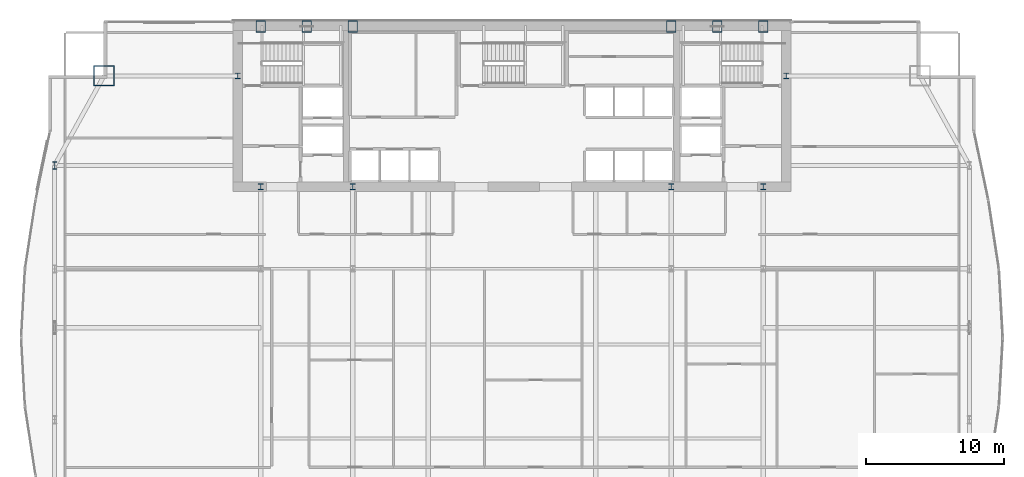
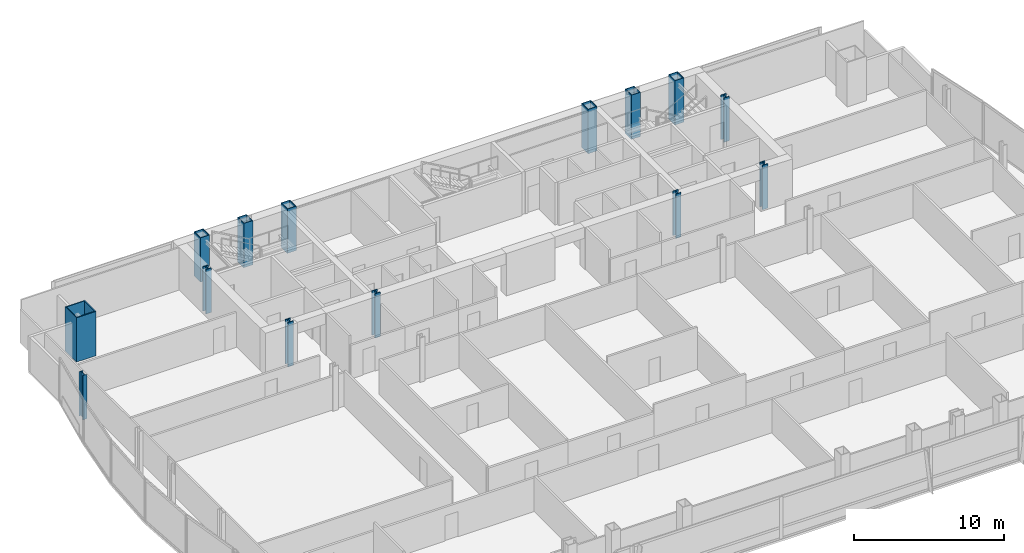
# One storey, part 3 of 33: 14 columns.
"""IFC4 building model written with IfcOpenShell, lengths in metres."""

import ifcopenshell
import ifcopenshell.guid

model = None  # the IFC model being written
_history = None  # IfcOwnerHistory: only IFC2X3 demands one
_inside = {}  # id of a spatial element -> (the spatial element, [elements in it])
_under = {}  # id of a project, library or spatial element -> (it, [spatial elements below it])
_declared = {}  # id of a project -> (the project, [libraries it declares])
_typed = {}  # id of a type object -> (the type object, [elements of that type])
_made_of = {}  # id of a material, layer set ... -> (it, [elements and type objects made of it])


def new_model(schema):
    """Start an empty IFC model of exactly this schema.

    Asked for "IFC4X3", IfcOpenShell would pick the latest addendum, in which some entities
    have other attributes; the version numbers below select the first issue.
    IFC2X3 requires an IfcOwnerHistory on every rooted entity: one is made here for all.
    """
    global model, _history
    if schema == "IFC4X3":
        model = ifcopenshell.file(schema_version=(4, 3, 0, 0))
    else:
        model = ifcopenshell.file(schema=schema)
    _inside.clear()
    _under.clear()
    _declared.clear()
    _typed.clear()
    _made_of.clear()
    _history = None
    if model.schema == "IFC2X3":
        org = make("IfcOrganization", Name="unknown")
        user = make(
            "IfcPersonAndOrganization",
            ThePerson=make("IfcPerson", FamilyName="unknown"),
            TheOrganization=org,
        )
        app = make(
            "IfcApplication",
            ApplicationDeveloper=org,
            Version="unknown",
            ApplicationFullName="unknown",
            ApplicationIdentifier="unknown",
        )
        _history = make(
            "IfcOwnerHistory",
            OwningUser=user,
            OwningApplication=app,
            ChangeAction="ADDED",
            CreationDate=0,
        )
    return model


def make(cls, **values):
    """One entity of the class cls with the attributes given. An attribute that is None is left unset."""
    return model.create_entity(
        cls, **{name: value for name, value in values.items() if value is not None}
    )


def rooted(cls, **values):
    """An entity with a GlobalId (a new one), such as an element, a storey or a relation."""
    return make(cls, GlobalId=ifcopenshell.guid.new(), OwnerHistory=_history, **values)


def si_unit(unit_type, name, prefix=None):
    """IfcSIUnit, for example si_unit("LENGTHUNIT", "METRE", prefix="MILLI")."""
    return make("IfcSIUnit", UnitType=unit_type, Prefix=prefix, Name=name)


def assignment(units):
    """IfcUnitAssignment: the units of a project."""
    return None if units is None else make("IfcUnitAssignment", Units=units)


def point(xyz):
    """IfcCartesianPoint."""
    return None if xyz is None else make("IfcCartesianPoint", Coordinates=xyz)


def direction(xyz):
    """IfcDirection."""
    return None if xyz is None else make("IfcDirection", DirectionRatios=xyz)


def frame(location, z_axis=None, x_axis=None):
    """IfcAxis2Placement3D, a coordinate frame: its origin and axes. An axis left out is left unset."""
    return make(
        "IfcAxis2Placement3D",
        Location=point(location),
        Axis=direction(z_axis),
        RefDirection=direction(x_axis),
    )


def frame_2d(location, x_axis=None):
    """IfcAxis2Placement2D, a coordinate frame in the plane: its origin and x axis."""
    return make(
        "IfcAxis2Placement2D", Location=point(location), RefDirection=direction(x_axis)
    )


def origin():
    """The frame at (0, 0, 0) with its axes left unset."""
    return frame((0.0, 0.0, 0.0))


def origin_2d():
    """The frame at (0, 0) in the plane with its x axis left unset."""
    return frame_2d((0.0, 0.0))


def place(relative_to, where):
    """IfcLocalPlacement: puts the frame where relative to a parent placement (None: the world)."""
    return make(
        "IfcLocalPlacement", PlacementRelTo=relative_to, RelativePlacement=where
    )


def context(
    kind, dimensions, precision=None, world=None, true_north=None, identifier=None
):
    """IfcGeometricRepresentationContext, for example the 3D "Model" context."""
    return make(
        "IfcGeometricRepresentationContext",
        ContextIdentifier=identifier,
        ContextType=kind,
        CoordinateSpaceDimension=dimensions,
        Precision=precision,
        WorldCoordinateSystem=world,
        TrueNorth=true_north,
    )


def subcontext(parent, identifier, kind, view, scale=None):
    """IfcGeometricRepresentationSubContext, for example "Body" below "Model"."""
    return make(
        "IfcGeometricRepresentationSubContext",
        ContextIdentifier=identifier,
        ContextType=kind,
        ParentContext=parent,
        TargetScale=scale,
        TargetView=view,
    )


def project(units=None, contexts=None):
    """IfcProject with its units and contexts."""
    return rooted(
        "IfcProject",
        Name="project",
        RepresentationContexts=contexts,
        UnitsInContext=assignment(units),
    )


def spatial(cls, under=None, at=None, **own):
    """A site, building, storey or space (cls), placed at a placement, below another one or the project."""
    s = rooted(cls, ObjectPlacement=at, **own)
    if under is not None:
        _under.setdefault(under.id(), (under, []))[1].append(s)
    return s


def profile(cls, at=None, kind="AREA", **sizes):
    """A parametric profile (cls). Its sizes go by their IFC names, for example OverallWidth=200.0."""
    return make(cls, ProfileType=kind, Position=at, **sizes)


def hollow_rectangle(**sizes):
    """IfcRectangleHollowProfileDef."""
    return profile("IfcRectangleHollowProfileDef", **sizes)


def i_section(**sizes):
    """IfcIShapeProfileDef."""
    return profile("IfcIShapeProfileDef", **sizes)


def extrude(swept, where, along, depth):
    """IfcExtrudedAreaSolid: the profile swept, set in the frame where, extruded along a direction by depth."""
    return make(
        "IfcExtrudedAreaSolid",
        SweptArea=swept,
        Position=where,
        ExtrudedDirection=direction(along),
        Depth=depth,
    )


def shape(context_of_items, identifier, shape_type, items):
    """IfcShapeRepresentation: the items that make up one representation, for example the "Body"."""
    return make(
        "IfcShapeRepresentation",
        ContextOfItems=context_of_items,
        RepresentationIdentifier=identifier,
        RepresentationType=shape_type,
        Items=items,
    )


def material(Name=None, Category=None):
    """IfcMaterial."""
    return make("IfcMaterial", Name=Name, Category=Category)


def material_profile(
    of_material, cross_section, Name=None, Category=None, Priority=None
):
    """IfcMaterialProfile: a cross section and its material."""
    return make(
        "IfcMaterialProfile",
        Name=Name,
        Material=of_material,
        Profile=cross_section,
        Priority=Priority,
        Category=Category,
    )


def profile_set(profiles, Name=None, composite=None):
    """IfcMaterialProfileSet."""
    return make(
        "IfcMaterialProfileSet",
        Name=Name,
        MaterialProfiles=profiles,
        CompositeProfile=composite,
    )


def made_of(thing, what):
    """Note that an element or type object is made of a material, layer set ...; save() writes the relation."""
    if what is not None:
        _made_of.setdefault(what.id(), (what, []))[1].append(thing)
    return thing


def type_object(cls, material=None, **own):
    """A type object (cls), such as IfcWallType, which elements share."""
    return made_of(rooted(cls, **own), material)


def element(
    cls,
    number,
    at=None,
    inside=None,
    cuts=None,
    type_object=None,
    material=None,
    context=None,
    identifier="Body",
    shape_type=None,
    held_by="IfcProductDefinitionShape",
    body=None,
    shapes=None,
    **own,
):
    """One element of the class cls, such as IfcWall. Its Tag is "e" and its number.

    at: its placement. inside: the storey or other place that contains it. cuts: it is an
    opening in that element (IfcRelVoidsElement). A single representation is given by context,
    identifier, shape_type and body (its items); several are given by shapes. held_by: the class
    of the entity that holds the representations. save() writes the other relations.
    """
    e = rooted(cls, Tag="e%d" % number, ObjectPlacement=at, **own)
    if body is not None:
        shapes = [shape(context, identifier, shape_type, body)]
    if shapes is not None:
        e.Representation = make(held_by, Representations=shapes)
    if inside is not None:
        _inside.setdefault(inside.id(), (inside, []))[1].append(e)
    if cuts is not None:
        rooted(
            "IfcRelVoidsElement", RelatingBuildingElement=cuts, RelatedOpeningElement=e
        )
    if type_object is not None:
        _typed.setdefault(type_object.id(), (type_object, []))[1].append(e)
    return made_of(e, material)


def aggregate(whole, parts):
    """IfcRelAggregates: a whole, such as a stair, and the parts it consists of."""
    return rooted("IfcRelAggregates", RelatingObject=whole, RelatedObjects=parts)


def save(model, path):
    """Write the relations noted so far, then the file.

    IfcRelAggregates (storeys below a building ...), IfcRelContainedInSpatialStructure (elements
    in a storey), IfcRelDefinesByType, IfcRelAssociatesMaterial and IfcRelDeclares: one each for
    every whole, place, type object, material and project.
    """
    for whole, parts in _under.values():
        aggregate(whole, parts)
    for where, things in _inside.values():
        rooted(
            "IfcRelContainedInSpatialStructure",
            RelatedElements=things,
            RelatingStructure=where,
        )
    for kind, things in _typed.values():
        rooted("IfcRelDefinesByType", RelatedObjects=things, RelatingType=kind)
    for what, things in _made_of.values():
        rooted("IfcRelAssociatesMaterial", RelatedObjects=things, RelatingMaterial=what)
    for by, libraries in _declared.values():
        rooted("IfcRelDeclares", RelatingContext=by, RelatedDefinitions=libraries)
    model.write(path)


model = new_model("IFC4")

# Units and contexts
model_context = context("Model", 3, precision=1e-05, world=origin(), true_north=direction((0.0, 1.0)))
body_context = subcontext(model_context, "Body", "Model", "MODEL_VIEW")
ifc_project = project(units=[si_unit("LENGTHUNIT", "METRE"), si_unit("AREAUNIT", "SQUARE_METRE"), si_unit("VOLUMEUNIT", "CUBIC_METRE"), si_unit("PLANEANGLEUNIT", "RADIAN"), si_unit("MASSUNIT", "GRAM", prefix="KILO")], contexts=[model_context])

# Site, building, storey
site_placement = place(None, origin())
site = spatial("IfcSite", under=ifc_project, at=site_placement, CompositionType="ELEMENT")
building_placement = place(site_placement, origin())
building = spatial("IfcBuilding", under=site, at=building_placement, Name="Khoronbel Lancet Exchange", CompositionType="ELEMENT")
storey_placement = place(building_placement, frame((0.0, 0.0, 114.60009765625)))
storey = spatial("IfcBuildingStorey", under=building, at=storey_placement, Name="L27", CompositionType="ELEMENT", Elevation=114.60009765625)

# Columns
ifc_material_1 = material(Name="Steel S460", Category="steel")
ifc_material_profile_1 = material_profile(ifc_material_1, hollow_rectangle(XDim=0.699951171875, YDim=0.85009765625, WallThickness=0.050048828125, at=origin_2d()), Name="BOX 850x700x50")
ifc_profile_set_1 = profile_set([ifc_material_profile_1], Name="Steel S460")
column_type_1 = type_object("IfcColumnType", Name="COL-EC2", PredefinedType="COLUMN", material=ifc_profile_set_1)
for number, where, z_axis, x_axis, name in (
    (1, (18.22509765625, 53.280029296875, 0.0), (0.0, 0.0, 1.0), (1.0, 0.0, 0.0), "Structural column NC-W1 L27"),
    (2, (21.5625, 53.280029296875, 0.0), (0.0, 0.0, 1.0), (1.0, 0.0, 0.0), "Structural column NC-WM L27"),
    (3, (24.89990234375, 53.280029296875, 0.0), (0.0, 0.0, 1.0), (1.0, 0.0, 0.0), "Structural column NC-W2 L27"),
    (4, (48.0, 53.280029296875, 0.0), (0.0, 0.0, 1.0), (1.0, 0.0, 0.0), "Structural column NC-E1 L27"),
    (5, (51.33740234375, 53.280029296875, 0.0), (0.0, 0.0, 1.0), (1.0, 0.0, 0.0), "Structural column NC-EM L27"),
    (6, (54.675048828125, 53.280029296875, 0.0), (0.0, 0.0, 1.0), (1.0, 0.0, 0.0), "Structural column NC-E2 L27"),
):
    element("IfcColumn", number, at=place(storey_placement, frame(where, z_axis=z_axis, x_axis=x_axis)), inside=storey, type_object=column_type_1, Name=name, PredefinedType="COLUMN", context=body_context, shape_type="SweptSolid", body=[
        extrude(hollow_rectangle(XDim=0.699951171875, YDim=0.85009765625, WallThickness=0.050048828125, at=origin_2d()), origin(), (0.0, 0.0, 1.0), 3.599853515625),
    ])
ifc_material_profile_2 = material_profile(ifc_material_1, i_section(OverallWidth=0.416015625, OverallDepth=0.446044921875, WebThickness=0.0390625, FlangeThickness=0.062744140625, at=origin_2d()), Name="HD 400x509")
ifc_profile_set_2 = profile_set([ifc_material_profile_2], Name="Steel S460")
column_type_2 = type_object("IfcColumnType", Name="COL-IC2", PredefinedType="COLUMN", material=ifc_profile_set_2)
for number, where, z_axis, x_axis, name in (
    (7, (16.550048828125, 49.699951171875, 0.0), (0.0, 0.0, 1.0), (1.0, 0.0, 0.0), "Core-flank plumb transfer column CFW L27"),
    (8, (56.35009765625, 49.699951171875, 0.0), (0.0, 0.0, 1.0), (1.0, 0.0, 0.0), "Core-flank plumb transfer column CFE L27"),
    (9, (18.22509765625, 41.64990234375, 0.0), (0.0, 0.0, 1.0), (1.0, 0.0, 0.0), "Core-embedded steel column CTC1 L27"),
    (10, (24.89990234375, 41.64990234375, 0.0), (0.0, 0.0, 1.0), (1.0, 0.0, 0.0), "Core-embedded steel column CTC2 L27"),
    (11, (48.0, 41.64990234375, 0.0), (0.0, 0.0, 1.0), (1.0, 0.0, 0.0), "Core-embedded steel column CTC3 L27"),
    (12, (54.675048828125, 41.64990234375, 0.0), (0.0, 0.0, 1.0), (1.0, 0.0, 0.0), "Core-embedded steel column CTC4 L27"),
):
    element("IfcColumn", number, at=place(storey_placement, frame(where, z_axis=z_axis, x_axis=x_axis)), inside=storey, type_object=column_type_2, Name=name, PredefinedType="COLUMN", context=body_context, shape_type="SweptSolid", body=[
        extrude(i_section(OverallWidth=0.416015625, OverallDepth=0.446044921875, WebThickness=0.0390625, FlangeThickness=0.062744140625, at=origin_2d()), origin(), (0.0, 0.0, 1.0), 3.599853515625),
    ])
ifc_material_2 = material(Name="Steel S355", Category="steel")
ifc_material_profile_3 = material_profile(ifc_material_2, i_section(OverallWidth=0.300048828125, OverallDepth=0.550048828125, WebThickness=0.014892578125, FlangeThickness=0.029052734375, at=origin_2d()), Name="HEB 550")
ifc_profile_set_3 = profile_set([ifc_material_profile_3], Name="Steel S355")
column_type_3 = type_object("IfcColumnType", Name="COL-LC1", PredefinedType="COLUMN", material=ifc_profile_set_3)
column_1_placement = place(storey_placement, frame((3.27001953125, 43.199951171875, 0.0), z_axis=(0.0, 0.0, 1.0), x_axis=(1.0, 0.0, 0.0)))
element("IfcColumn", 13, at=column_1_placement, inside=storey, type_object=column_type_3, Name="Structural column WC-4 L27", PredefinedType="COLUMN", context=body_context, shape_type="SweptSolid", body=[
    extrude(i_section(OverallWidth=0.300048828125, OverallDepth=0.550048828125, WebThickness=0.014892578125, FlangeThickness=0.029052734375, at=origin_2d()), origin(), (0.0, 0.0, 1.0), 3.599853515625),
])
ifc_material_profile_4 = material_profile(ifc_material_1, hollow_rectangle(XDim=1.5, YDim=1.5, WallThickness=0.070068359375, at=origin_2d()), Name="BOX 1500x1500x70")
ifc_profile_set_4 = profile_set([ifc_material_profile_4], Name="Steel S460")
column_type_4 = type_object("IfcColumnType", Name="COL-MC3", PredefinedType="COLUMN", material=ifc_profile_set_4)
column_2_placement = place(storey_placement, frame((6.85009765625, 49.699951171875, 0.0), z_axis=(0.0, 0.0, 1.0), x_axis=(1.0, 0.0, 0.0)))
element("IfcColumn", 14, at=column_2_placement, inside=storey, type_object=column_type_4, Name="Structural column MC-NW L27", PredefinedType="COLUMN", context=body_context, shape_type="SweptSolid", body=[
    extrude(hollow_rectangle(XDim=1.5, YDim=1.5, WallThickness=0.070068359375, at=origin_2d()), origin(), (0.0, 0.0, 1.0), 3.599853515625),
])

save(model, "model.ifc")
